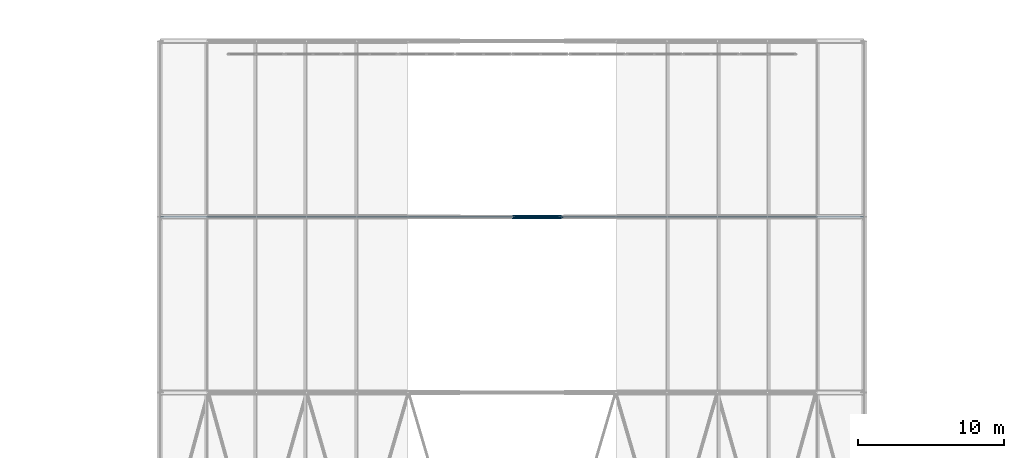
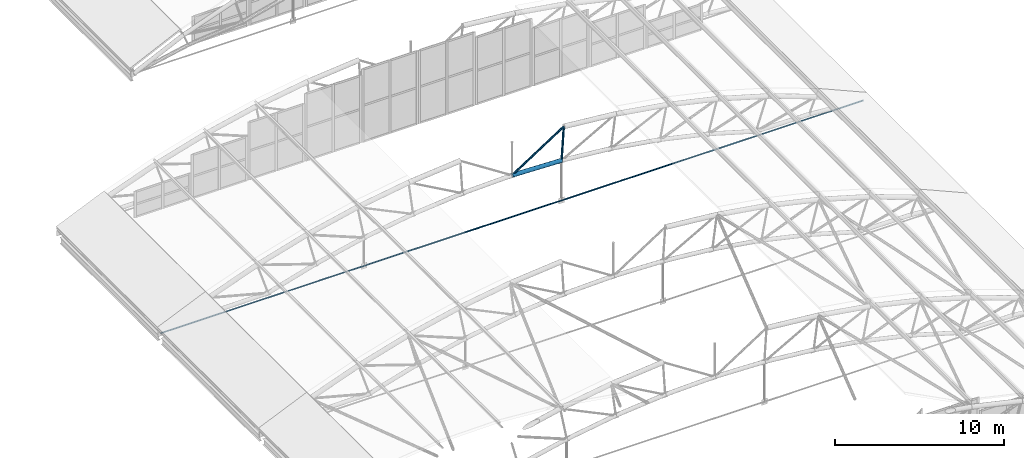
# One storey, part 138 of 321: 4 members.
"""IFC4 building model written with IfcOpenShell, lengths in metres."""

from ifc_helpers import new_model, si_unit, direction, frame, origin, origin_2d, place, context, subcontext, project, spatial, circle, hollow_circle, extrude, material, material_profile, profile_set, type_object, element, save


model = new_model("IFC4")

# Units and contexts
model_context = context("Model", 3, precision=1e-05, world=origin(), true_north=direction((0.0, 1.0)))
body_context = subcontext(model_context, "Body", "Model", "MODEL_VIEW")
ifc_project = project(units=[si_unit("LENGTHUNIT", "METRE"), si_unit("AREAUNIT", "SQUARE_METRE"), si_unit("VOLUMEUNIT", "CUBIC_METRE"), si_unit("PLANEANGLEUNIT", "RADIAN"), si_unit("MASSUNIT", "GRAM", prefix="KILO")], contexts=[model_context])

# Site, building, storey
site_placement = place(None, origin())
site = spatial("IfcSite", under=ifc_project, at=site_placement, CompositionType="ELEMENT")
building_placement = place(site_placement, origin())
building = spatial("IfcBuilding", under=site, at=building_placement, Name="Ravi Spectrum Wholesale Market", CompositionType="ELEMENT")
storey_placement = place(building_placement, frame((0.0, 0.0, 10.800048828125)))
storey = spatial("IfcBuildingStorey", under=building, at=storey_placement, Name="L02", CompositionType="ELEMENT", Elevation=10.800048828125)

# Members
ifc_material_1 = material(Name="Steel S355", Category="steel")
ifc_material_profile_1 = material_profile(ifc_material_1, hollow_circle(Radius=0.06982421875, WallThickness=0.0048828125, at=origin_2d()))
ifc_profile_set_1 = profile_set([ifc_material_profile_1], Name="Steel S355")
member_type_1 = type_object("IfcMemberType", Name="CHS 139.7x5 brace", PredefinedType="BRACE", material=ifc_profile_set_1)
member_1_placement = place(storey_placement, frame((177.540771484375, 114.0, 5.2880859375), z_axis=(-0.839894736946, 0.0, -0.542749325978), x_axis=(0.0, -1.0, 0.0)))
element("IfcMember", 1, at=member_1_placement, inside=storey, type_object=member_type_1, Name="H2-MB-L02-216", PredefinedType="BRACE", context=body_context, shape_type="SweptSolid", body=[
    extrude(hollow_circle(Radius=0.06982421875, WallThickness=0.0048828125, at=origin_2d()), origin(), (0.0, 0.0, 1.0), 4.2158203125),
])
ifc_material_2 = material(Name="Steel S355", Category="steel")
ifc_material_profile_2 = material_profile(ifc_material_2, hollow_circle(Radius=0.06982421875, WallThickness=0.0048828125, at=origin_2d()))
ifc_profile_set_2 = profile_set([ifc_material_profile_2], Name="Steel S355")
member_type_2 = type_object("IfcMemberType", Name="CHS 139.7x5 post", PredefinedType="POST", material=ifc_profile_set_2)
member_2_placement = place(storey_placement, frame((177.540771484375, 114.0, 5.2880859375), z_axis=(-0.06316988397, 0.0, -0.998002788453), x_axis=(0.0, -1.0, 0.0)))
element("IfcMember", 2, at=member_2_placement, inside=storey, type_object=member_type_2, Name="H2-MB-L02-204", PredefinedType="POST", context=body_context, shape_type="SweptSolid", body=[
    extrude(hollow_circle(Radius=0.06982421875, WallThickness=0.0048828125, at=origin_2d()), origin(), (0.0, 0.0, 1.0), 2.400146484375),
])
ifc_material_3 = material(Name="Steel S355", Category="steel")
ifc_material_profile_3 = material_profile(ifc_material_3, hollow_circle(Radius=0.136474609375, WallThickness=0.010009765625, at=origin_2d()))
ifc_profile_set_3 = profile_set([ifc_material_profile_3], Name="Steel S355")
member_type_3 = type_object("IfcMemberType", Name="CHS 273x10 chord", PredefinedType="CHORD", material=ifc_profile_set_3)
member_3_placement = place(storey_placement, frame((174.0, 114.0, 3.0), z_axis=(0.999500345993, 0.0, -0.031607884447), x_axis=(0.0, 1.0, 0.0)))
element("IfcMember", 3, at=member_3_placement, inside=storey, type_object=member_type_3, Name="H2-MB-L02-190", PredefinedType="CHORD", context=body_context, shape_type="SweptSolid", body=[
    extrude(hollow_circle(Radius=0.136474609375, WallThickness=0.010009765625, at=origin_2d()), origin(), (0.0, 0.0, 1.0), 3.390869140625),
])
ifc_material_4 = material(Name="Steel S460", Category="steel")
ifc_material_profile_4 = material_profile(ifc_material_4, circle(Radius=0.034912109375, at=origin_2d()))
ifc_profile_set_4 = profile_set([ifc_material_profile_4], Name="Steel S460")
member_type_4 = type_object("IfcMemberType", Name="ROD 70 tie", PredefinedType="BRACE", material=ifc_profile_set_4)
member_4_placement = place(storey_placement, frame((150.0, 114.0, 0.0), z_axis=(1.0, 0.0, 0.0), x_axis=(0.0, 1.0, 0.0)))
element("IfcMember", 4, at=member_4_placement, inside=storey, type_object=member_type_4, Name="H2-MB-L02-222", PredefinedType="BRACE", context=body_context, shape_type="SweptSolid", body=[
    extrude(circle(Radius=0.034912109375, at=origin_2d()), origin(), (0.0, 0.0, 1.0), 48.0),
])

save(model, "model.ifc")
